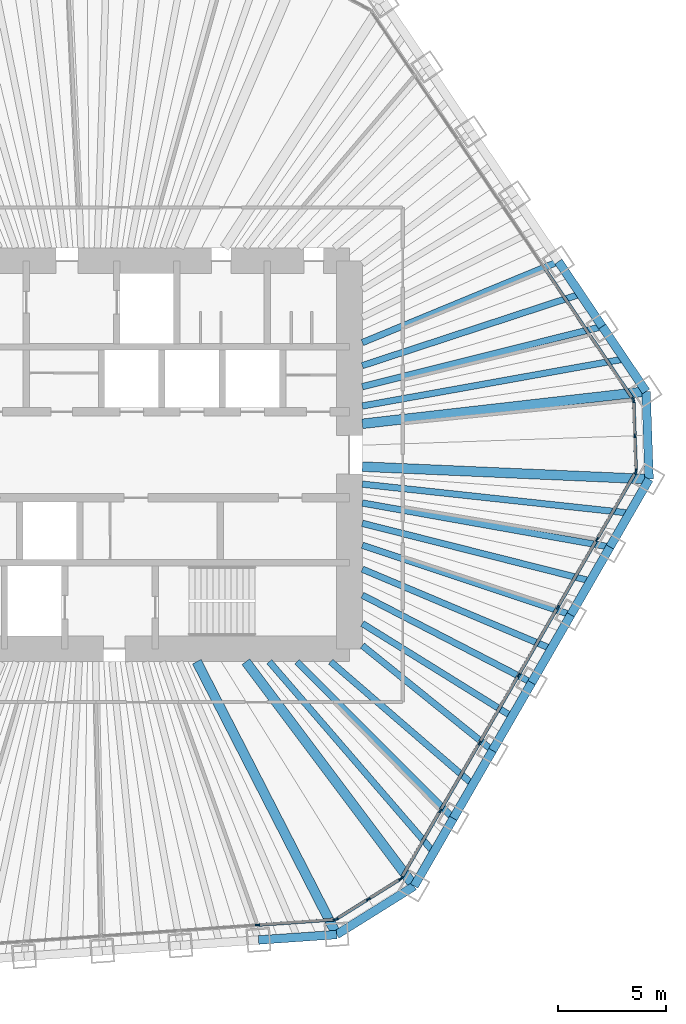
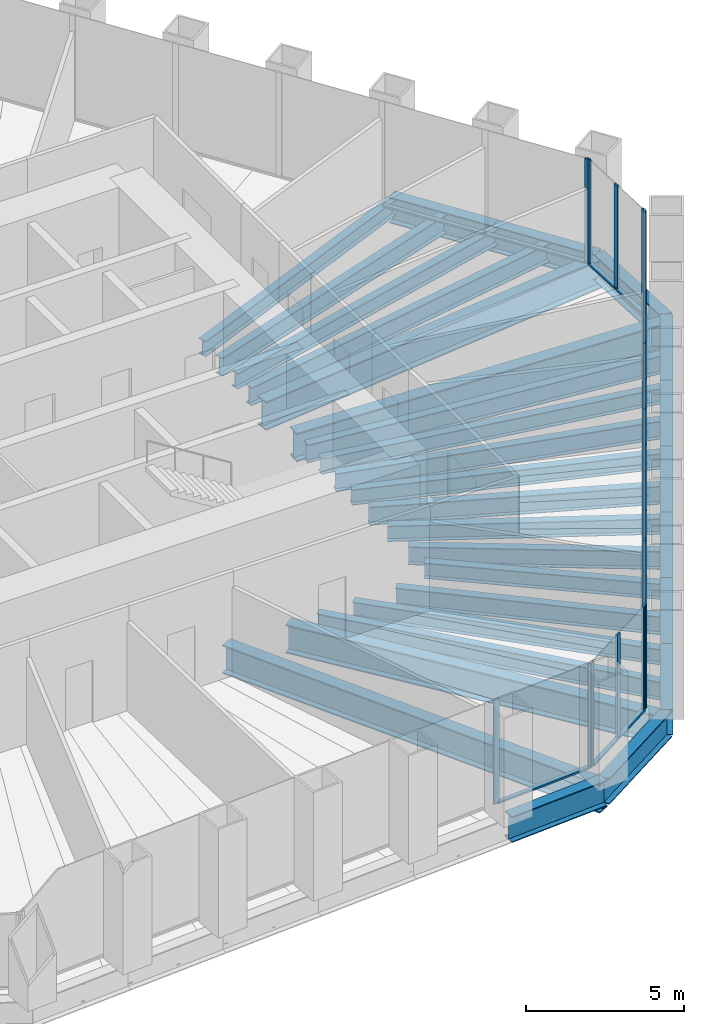
# One storey, part 4 of 13: 30 beams, 29 members, 5 elements without a shape of their own.
"""IFC4 building model written with IfcOpenShell, lengths in metres."""

from ifc_helpers import new_model, si_unit, direction, frame, origin, origin_2d, place, context, subcontext, project, spatial, rectangle, i_section, extrude, material, material_profile, profile_set, type_object, element, aggregate, save


model = new_model("IFC4")

# Units and contexts
model_context = context("Model", 3, precision=1e-05, world=origin(), true_north=direction((0.0, 1.0)))
body_context = subcontext(model_context, "Body", "Model", "MODEL_VIEW")
ifc_project = project(units=[si_unit("LENGTHUNIT", "METRE"), si_unit("AREAUNIT", "SQUARE_METRE"), si_unit("VOLUMEUNIT", "CUBIC_METRE"), si_unit("PLANEANGLEUNIT", "RADIAN"), si_unit("MASSUNIT", "GRAM", prefix="KILO")], contexts=[model_context])

# Site, building, storey
site_placement = place(None, origin())
site = spatial("IfcSite", under=ifc_project, at=site_placement, CompositionType="ELEMENT")
building_placement = place(site_placement, origin())
building = spatial("IfcBuilding", under=site, at=building_placement, Name="Qingtian Harvest Tower", CompositionType="ELEMENT")
storey_placement = place(building_placement, frame((0.0, 0.0, 209.800048828125)))
storey = spatial("IfcBuildingStorey", under=building, at=storey_placement, Name="L45", CompositionType="ELEMENT", Elevation=209.800048828125)

# Beams
ifc_material_1 = material(Name="Steel SM570MC", Category="steel")
ifc_material_profile_1 = material_profile(ifc_material_1, i_section(OverallWidth=0.449951171875, OverallDepth=1.10009765625, WebThickness=0.02197265625, FlangeThickness=0.044921875, at=origin_2d()), Name="H1100x450x22x45")
ifc_profile_set_1 = profile_set([ifc_material_profile_1], Name="Steel SM570MC")
beam_type_1 = type_object("IfcBeamType", Name="Corner floor beam FB8 H1100x450x22x45", PredefinedType="BEAM", material=ifc_profile_set_1)
beam_1_placement = place(storey_placement, frame((25.762451171875, 2.936279296875, -0.719970703125), z_axis=(-0.993566901619, -0.113246686522, 0.0), x_axis=(0.113246686522, -0.993566901619, 0.0)))
element("IfcBeam", 1, at=beam_1_placement, inside=storey, type_object=beam_type_1, Name="Floor beam FB8 NE6", PredefinedType="BEAM", context=body_context, shape_type="SweptSolid", body=[
    extrude(i_section(OverallWidth=0.449951171875, OverallDepth=1.10009765625, WebThickness=0.02197265625, FlangeThickness=0.044921875, at=origin_2d()), origin(), (0.0, 0.0, 1.0), 13.24755859375),
])
beam_2_placement = place(storey_placement, frame((25.904541015625, -1.1318359375, -0.719970703125), z_axis=(-0.999046865424, 0.043650437408, 0.0), x_axis=(-0.043650437408, -0.999046865424, 0.0)))
element("IfcBeam", 2, at=beam_2_placement, inside=storey, type_object=beam_type_1, Name="Floor beam FB8 SE0", PredefinedType="BEAM", context=body_context, shape_type="SweptSolid", body=[
    extrude(i_section(OverallWidth=0.449951171875, OverallDepth=1.10009765625, WebThickness=0.02197265625, FlangeThickness=0.044921875, at=origin_2d()), origin(), (0.0, 0.0, 1.0), 13.317138671875),
])
beam_3_placement = place(storey_placement, frame((15.00390625, -20.012451171875, -0.719970703125), z_axis=(-0.599858913609, 0.800105795357, 0.0), x_axis=(-0.800105795357, -0.599858913609, 0.0)))
element("IfcBeam", 3, at=beam_3_placement, inside=storey, type_object=beam_type_1, Name="Floor beam FB8 SE6", PredefinedType="BEAM", context=body_context, shape_type="SweptSolid", body=[
    extrude(i_section(OverallWidth=0.449951171875, OverallDepth=1.10009765625, WebThickness=0.02197265625, FlangeThickness=0.044921875, at=origin_2d()), origin(), (0.0, 0.0, 1.0), 13.013671875),
])
beam_4_placement = place(storey_placement, frame((11.40966796875, -22.25830078125, -0.719970703125), z_axis=(-0.456157396608, 0.889899111989, 0.0), x_axis=(-0.889899111989, -0.456157396608, 0.0)))
element("IfcBeam", 4, at=beam_4_placement, inside=storey, type_object=beam_type_1, Name="Floor beam FB8 S0", PredefinedType="BEAM", context=body_context, shape_type="SweptSolid", body=[
    extrude(i_section(OverallWidth=0.449951171875, OverallDepth=1.10009765625, WebThickness=0.02197265625, FlangeThickness=0.044921875, at=origin_2d()), origin(), (0.0, 0.0, 1.0), 14.224365234375),
])
ifc_material_2 = material(Name="Steel SN490B", Category="steel")
ifc_material_profile_2 = material_profile(ifc_material_2, i_section(OverallWidth=0.300048828125, OverallDepth=0.60009765625, WebThickness=0.011962890625, FlangeThickness=0.02001953125, at=origin_2d()), Name="H600x300x12x20")
ifc_profile_set_2 = profile_set([ifc_material_profile_2], Name="Steel SN490B")
beam_type_2 = type_object("IfcBeamType", Name="Floor beam FB3 H600x300x12x20", PredefinedType="BEAM", material=ifc_profile_set_2)
beam_5_placement = place(storey_placement, frame((21.69873046875, 8.9609375, -0.469970703125), z_axis=(-0.924281590361, -0.381711332973, 0.0), x_axis=(0.381711332973, -0.924281590361, 0.0)))
element("IfcBeam", 5, at=beam_5_placement, inside=storey, type_object=beam_type_2, Name="Floor beam FB3 NE4", PredefinedType="BEAM", context=body_context, shape_type="SweptSolid", body=[
    extrude(i_section(OverallWidth=0.300048828125, OverallDepth=0.60009765625, WebThickness=0.011962890625, FlangeThickness=0.02001953125, at=origin_2d()), origin(), (0.0, 0.0, 1.0), 9.843994140625),
])
beam_6_placement = place(storey_placement, frame((23.730712890625, 5.948486328125, -0.469970703125), z_axis=(-0.969990876487, -0.243141315972, 0.0), x_axis=(0.243141315972, -0.969990876487, 0.0)))
element("IfcBeam", 6, at=beam_6_placement, inside=storey, type_object=beam_type_2, Name="Floor beam FB3 NE5", PredefinedType="BEAM", context=body_context, shape_type="SweptSolid", body=[
    extrude(i_section(OverallWidth=0.300048828125, OverallDepth=0.60009765625, WebThickness=0.011962890625, FlangeThickness=0.02001953125, at=origin_2d()), origin(), (0.0, 0.0, 1.0), 11.474853515625),
])
beam_7_placement = place(storey_placement, frame((24.087890625, -4.27880859375, -0.469970703125), z_axis=(-0.98458469654, 0.174908477034, 0.0), x_axis=(-0.174908477034, -0.98458469654, 0.0)))
element("IfcBeam", 7, at=beam_7_placement, inside=storey, type_object=beam_type_2, Name="Floor beam FB3 SE1", PredefinedType="BEAM", context=body_context, shape_type="SweptSolid", body=[
    extrude(i_section(OverallWidth=0.300048828125, OverallDepth=0.60009765625, WebThickness=0.011962890625, FlangeThickness=0.02001953125, at=origin_2d()), origin(), (0.0, 0.0, 1.0), 11.667724609375),
])
beam_8_placement = place(storey_placement, frame((22.27099609375, -7.425537109375, -0.469970703125), z_axis=(-0.948654555734, 0.316313979908, 0.0), x_axis=(-0.316313979908, -0.948654555734, 0.0)))
element("IfcBeam", 8, at=beam_8_placement, inside=storey, type_object=beam_type_2, Name="Floor beam FB3 SE2", PredefinedType="BEAM", context=body_context, shape_type="SweptSolid", body=[
    extrude(i_section(OverallWidth=0.300048828125, OverallDepth=0.60009765625, WebThickness=0.011962890625, FlangeThickness=0.02001953125, at=origin_2d()), origin(), (0.0, 0.0, 1.0), 10.1943359375),
])
beam_9_placement = place(storey_placement, frame((20.454345703125, -10.572265625, -0.469970703125), z_axis=(-0.888343501027, 0.459179511938, 0.0), x_axis=(-0.459179511938, -0.888343501027, 0.0)))
element("IfcBeam", 9, at=beam_9_placement, inside=storey, type_object=beam_type_2, Name="Floor beam FB3 SE3", PredefinedType="BEAM", context=body_context, shape_type="SweptSolid", body=[
    extrude(i_section(OverallWidth=0.300048828125, OverallDepth=0.60009765625, WebThickness=0.011962890625, FlangeThickness=0.02001953125, at=origin_2d()), origin(), (0.0, 0.0, 1.0), 8.841552734375),
])
beam_10_placement = place(storey_placement, frame((18.637451171875, -13.718994140625, -0.469970703125), z_axis=(-0.77840907003, 0.62775737327, 0.0), x_axis=(-0.62775737327, -0.77840907003, 0.0)))
element("IfcBeam", 10, at=beam_10_placement, inside=storey, type_object=beam_type_2, Name="Floor beam FB3 SE4", PredefinedType="BEAM", context=body_context, shape_type="SweptSolid", body=[
    extrude(i_section(OverallWidth=0.300048828125, OverallDepth=0.60009765625, WebThickness=0.011962890625, FlangeThickness=0.02001953125, at=origin_2d()), origin(), (0.0, 0.0, 1.0), 7.756103515625),
])
beam_11_placement = place(storey_placement, frame((16.82080078125, -16.86572265625, -0.469970703125), z_axis=(-0.70616637797, 0.708045935392, 0.0), x_axis=(-0.708045935392, -0.70616637797, 0.0)))
element("IfcBeam", 11, at=beam_11_placement, inside=storey, type_object=beam_type_2, Name="Floor beam FB3 SE5", PredefinedType="BEAM", context=body_context, shape_type="SweptSolid", body=[
    extrude(i_section(OverallWidth=0.300048828125, OverallDepth=0.60009765625, WebThickness=0.011962890625, FlangeThickness=0.02001953125, at=origin_2d()), origin(), (0.0, 0.0, 1.0), 10.261474609375),
])
ifc_material_3 = material(Name="Steel SN490B", Category="steel")
ifc_material_profile_3 = material_profile(ifc_material_3, i_section(OverallWidth=0.300048828125, OverallDepth=0.699951171875, WebThickness=0.012939453125, FlangeThickness=0.02392578125, at=origin_2d()), Name="H700x300x13x24")
ifc_profile_set_3 = profile_set([ifc_material_profile_3], Name="Steel SN490B")
beam_type_3 = type_object("IfcBeamType", Name="Floor joist J2 H700x300x13x24", PredefinedType="JOIST", material=ifc_profile_set_3)
beam_12_placement = place(storey_placement, frame((22.71484375, 7.454833984375, -0.52001953125), z_axis=(-0.950138567513, -0.311828001508, 0.0), x_axis=(0.311828001508, -0.950138567513, 0.0)))
element("IfcBeam", 12, at=beam_12_placement, inside=storey, type_object=beam_type_3, Name="Floor joist J2 NE4", PredefinedType="JOIST", context=body_context, shape_type="SweptSolid", body=[
    extrude(i_section(OverallWidth=0.300048828125, OverallDepth=0.699951171875, WebThickness=0.012939453125, FlangeThickness=0.02392578125, at=origin_2d()), origin(), (0.0, 0.0, 1.0), 10.6455078125),
])
beam_13_placement = place(storey_placement, frame((24.74658203125, 4.4423828125, -0.52001953125), z_axis=(-0.98426723745, -0.176686177393, 0.0), x_axis=(0.176686177393, -0.98426723745, 0.0)))
element("IfcBeam", 13, at=beam_13_placement, inside=storey, type_object=beam_type_3, Name="Floor joist J2 NE5", PredefinedType="JOIST", context=body_context, shape_type="SweptSolid", body=[
    extrude(i_section(OverallWidth=0.300048828125, OverallDepth=0.699951171875, WebThickness=0.012939453125, FlangeThickness=0.02392578125, at=origin_2d()), origin(), (0.0, 0.0, 1.0), 12.340576171875),
])
beam_14_placement = place(storey_placement, frame((24.99609375, -2.705322265625, -0.52001953125), z_axis=(-0.994194656298, 0.107596400448, 0.0), x_axis=(-0.107596400448, -0.994194656298, 0.0)))
element("IfcBeam", 14, at=beam_14_placement, inside=storey, type_object=beam_type_3, Name="Floor joist J2 SE0", PredefinedType="JOIST", context=body_context, shape_type="SweptSolid", body=[
    extrude(i_section(OverallWidth=0.300048828125, OverallDepth=0.699951171875, WebThickness=0.012939453125, FlangeThickness=0.02392578125, at=origin_2d()), origin(), (0.0, 0.0, 1.0), 12.46826171875),
])
beam_15_placement = place(storey_placement, frame((23.179443359375, -5.85205078125, -0.52001953125), z_axis=(-0.969577887027, 0.244783007963, 0.0), x_axis=(-0.244783007963, -0.969577887027, 0.0)))
element("IfcBeam", 15, at=beam_15_placement, inside=storey, type_object=beam_type_3, Name="Floor joist J2 SE1", PredefinedType="JOIST", context=body_context, shape_type="SweptSolid", body=[
    extrude(i_section(OverallWidth=0.300048828125, OverallDepth=0.699951171875, WebThickness=0.012939453125, FlangeThickness=0.02392578125, at=origin_2d()), origin(), (0.0, 0.0, 1.0), 10.911376953125),
])
beam_16_placement = place(storey_placement, frame((21.362548828125, -8.998779296875, -0.52001953125), z_axis=(-0.921571079516, 0.388209666803, 0.0), x_axis=(-0.388209666803, -0.921571079516, 0.0)))
element("IfcBeam", 16, at=beam_16_placement, inside=storey, type_object=beam_type_3, Name="Floor joist J2 SE2", PredefinedType="JOIST", context=body_context, shape_type="SweptSolid", body=[
    extrude(i_section(OverallWidth=0.300048828125, OverallDepth=0.699951171875, WebThickness=0.012939453125, FlangeThickness=0.02392578125, at=origin_2d()), origin(), (0.0, 0.0, 1.0), 9.508056640625),
])
beam_17_placement = place(storey_placement, frame((19.5458984375, -12.1455078125, -0.52001953125), z_axis=(-0.849380822906, 0.527780463526, 0.0), x_axis=(-0.527780463526, -0.849380822906, 0.0)))
element("IfcBeam", 17, at=beam_17_placement, inside=storey, type_object=beam_type_3, Name="Floor joist J2 SE3", PredefinedType="JOIST", context=body_context, shape_type="SweptSolid", body=[
    extrude(i_section(OverallWidth=0.300048828125, OverallDepth=0.699951171875, WebThickness=0.012939453125, FlangeThickness=0.02392578125, at=origin_2d()), origin(), (0.0, 0.0, 1.0), 8.177490234375),
])
beam_18_placement = place(storey_placement, frame((17.72900390625, -15.292236328125, -0.52001953125), z_axis=(-0.757237954988, 0.653139096613, 0.0), x_axis=(-0.653139096613, -0.757237954988, 0.0)))
element("IfcBeam", 18, at=beam_18_placement, inside=storey, type_object=beam_type_3, Name="Floor joist J2 SE4", PredefinedType="JOIST", context=body_context, shape_type="SweptSolid", body=[
    extrude(i_section(OverallWidth=0.300048828125, OverallDepth=0.699951171875, WebThickness=0.012939453125, FlangeThickness=0.02392578125, at=origin_2d()), origin(), (0.0, 0.0, 1.0), 8.715087890625),
])
beam_19_placement = place(storey_placement, frame((15.912353515625, -18.43896484375, -0.52001953125), z_axis=(-0.653343257086, 0.757061812813, 0.0), x_axis=(-0.757061812813, -0.653343257086, 0.0)))
element("IfcBeam", 19, at=beam_19_placement, inside=storey, type_object=beam_type_3, Name="Floor joist J2 SE5", PredefinedType="JOIST", context=body_context, shape_type="SweptSolid", body=[
    extrude(i_section(OverallWidth=0.300048828125, OverallDepth=0.699951171875, WebThickness=0.012939453125, FlangeThickness=0.02392578125, at=origin_2d()), origin(), (0.0, 0.0, 1.0), 11.67529296875),
])

# Curtain wall, member
ifc_material_4 = material(Name="Bronze-anodised aluminium curtain wall", Category="aluminium")
curtain_wall_type = type_object("IfcCurtainWallType", Name="Curtain wall CW4 office", PredefinedType="USERDEFINED", material=ifc_material_4)
curtain_wall_1_placement = place(storey_placement, origin())
curtain_wall_1 = element("IfcCurtainWall", 20, at=curtain_wall_1_placement, inside=storey, type_object=curtain_wall_type, Name="Curtain wall CW4 L45 NE0-5", ObjectType="RECESSED CURTAIN WALL", PredefinedType="USERDEFINED")
ifc_material_5 = material(Name="Bronze-anodised aluminium mullion", Category="aluminium")
ifc_material_profile_4 = material_profile(ifc_material_5, rectangle(XDim=0.06494140625, YDim=0.199951171875, at=origin_2d()), Name="AL 65x200")
ifc_profile_set_4 = profile_set([ifc_material_profile_4], Name="Bronze-anodised aluminium mullion")
member_type_1 = type_object("IfcMemberType", Name="Mullion CWM 65x200", PredefinedType="MULLION", material=ifc_profile_set_4)
member_1_placement = place(storey_placement, frame((25.1640625, 2.57177734375, 0.0), z_axis=(0.0, 0.0, 1.0), x_axis=(0.829037572555, 0.559192903471, 0.0)))
member_1 = element("IfcMember", 21, at=member_1_placement, type_object=member_type_1, Name="CW4 mullion 7", PredefinedType="MULLION", context=body_context, shape_type="SweptSolid", body=[
    extrude(rectangle(XDim=0.06494140625, YDim=0.199951171875, at=origin_2d()), origin(), (0.0, 0.0, 1.0), 4.030029296875),
])

# Curtain wall, members
curtain_wall_2_placement = place(storey_placement, origin())
curtain_wall_2 = element("IfcCurtainWall", 22, at=curtain_wall_2_placement, inside=storey, type_object=curtain_wall_type, Name="Curtain wall CW4 L45 NEC", ObjectType="RECESSED CURTAIN WALL", PredefinedType="USERDEFINED")
member_2_placement = place(storey_placement, frame((25.183349609375, 2.51220703125, 0.0), z_axis=(0.0, 0.0, 1.0), x_axis=(0.999390827019, 0.034899496703, 0.0)))
member_2 = element("IfcMember", 23, at=member_2_placement, type_object=member_type_1, Name="CW4 mullion 1", PredefinedType="MULLION", context=body_context, shape_type="SweptSolid", body=[
    extrude(rectangle(XDim=0.06494140625, YDim=0.199951171875, at=origin_2d()), origin(), (0.0, 0.0, 1.0), 4.030029296875),
])
member_3_placement = place(storey_placement, frame((25.240234375, 0.88134765625, 0.0), z_axis=(0.0, 0.0, 1.0), x_axis=(0.999390827019, 0.034899496703, 0.0)))
member_3 = element("IfcMember", 24, at=member_3_placement, type_object=member_type_1, Name="CW4 mullion 2", PredefinedType="MULLION", context=body_context, shape_type="SweptSolid", body=[
    extrude(rectangle(XDim=0.06494140625, YDim=0.199951171875, at=origin_2d()), origin(), (0.0, 0.0, 1.0), 4.030029296875),
])
member_4_placement = place(storey_placement, frame((25.297119140625, -0.74951171875, 0.0), z_axis=(0.0, 0.0, 1.0), x_axis=(0.999390827019, 0.034899496703, 0.0)))
member_4 = element("IfcMember", 25, at=member_4_placement, type_object=member_type_1, Name="CW4 mullion 3", PredefinedType="MULLION", context=body_context, shape_type="SweptSolid", body=[
    extrude(rectangle(XDim=0.06494140625, YDim=0.199951171875, at=origin_2d()), origin(), (0.0, 0.0, 1.0), 4.030029296875),
])

curtain_wall_3_placement = place(storey_placement, origin())
curtain_wall_3 = element("IfcCurtainWall", 26, at=curtain_wall_3_placement, inside=storey, type_object=curtain_wall_type, Name="Curtain wall CW4 L45 SE0-5", ObjectType="RECESSED CURTAIN WALL", PredefinedType="USERDEFINED")
member_5_placement = place(storey_placement, frame((25.2822265625, -0.81005859375, 0.0), z_axis=(0.0, 0.0, 1.0), x_axis=(0.866025403784, -0.5, 0.0)))
member_5 = element("IfcMember", 27, at=member_5_placement, type_object=member_type_1, Name="CW4 mullion 1", PredefinedType="MULLION", context=body_context, shape_type="SweptSolid", body=[
    extrude(rectangle(XDim=0.06494140625, YDim=0.199951171875, at=origin_2d()), origin(), (0.0, 0.0, 1.0), 4.030029296875),
])
member_6_placement = place(storey_placement, frame((23.481689453125, -3.9287109375, 0.0), z_axis=(0.0, 0.0, 1.0), x_axis=(0.866025403784, -0.5, 0.0)))
member_6 = element("IfcMember", 28, at=member_6_placement, type_object=member_type_1, Name="CW4 mullion 2", PredefinedType="MULLION", context=body_context, shape_type="SweptSolid", body=[
    extrude(rectangle(XDim=0.06494140625, YDim=0.199951171875, at=origin_2d()), origin(), (0.0, 0.0, 1.0), 4.030029296875),
])
member_7_placement = place(storey_placement, frame((21.664794921875, -7.075439453125, 0.0), z_axis=(0.0, 0.0, 1.0), x_axis=(0.866025403784, -0.5, 0.0)))
member_7 = element("IfcMember", 29, at=member_7_placement, type_object=member_type_1, Name="CW4 mullion 3", PredefinedType="MULLION", context=body_context, shape_type="SweptSolid", body=[
    extrude(rectangle(XDim=0.06494140625, YDim=0.199951171875, at=origin_2d()), origin(), (0.0, 0.0, 1.0), 4.030029296875),
])
member_8_placement = place(storey_placement, frame((19.84814453125, -10.22216796875, 0.0), z_axis=(0.0, 0.0, 1.0), x_axis=(0.866025403784, -0.5, 0.0)))
member_8 = element("IfcMember", 30, at=member_8_placement, type_object=member_type_1, Name="CW4 mullion 4", PredefinedType="MULLION", context=body_context, shape_type="SweptSolid", body=[
    extrude(rectangle(XDim=0.06494140625, YDim=0.199951171875, at=origin_2d()), origin(), (0.0, 0.0, 1.0), 4.030029296875),
])
member_9_placement = place(storey_placement, frame((18.03125, -13.368896484375, 0.0), z_axis=(0.0, 0.0, 1.0), x_axis=(0.866025403784, -0.5, 0.0)))
member_9 = element("IfcMember", 31, at=member_9_placement, type_object=member_type_1, Name="CW4 mullion 5", PredefinedType="MULLION", context=body_context, shape_type="SweptSolid", body=[
    extrude(rectangle(XDim=0.06494140625, YDim=0.199951171875, at=origin_2d()), origin(), (0.0, 0.0, 1.0), 4.030029296875),
])
member_10_placement = place(storey_placement, frame((16.214599609375, -16.515625, 0.0), z_axis=(0.0, 0.0, 1.0), x_axis=(0.866025403784, -0.5, 0.0)))
member_10 = element("IfcMember", 32, at=member_10_placement, type_object=member_type_1, Name="CW4 mullion 6", PredefinedType="MULLION", context=body_context, shape_type="SweptSolid", body=[
    extrude(rectangle(XDim=0.06494140625, YDim=0.199951171875, at=origin_2d()), origin(), (0.0, 0.0, 1.0), 4.030029296875),
])
member_11_placement = place(storey_placement, frame((14.4140625, -19.63427734375, 0.0), z_axis=(0.0, 0.0, 1.0), x_axis=(0.866025403784, -0.5, 0.0)))
member_11 = element("IfcMember", 33, at=member_11_placement, type_object=member_type_1, Name="CW4 mullion 7", PredefinedType="MULLION", context=body_context, shape_type="SweptSolid", body=[
    extrude(rectangle(XDim=0.06494140625, YDim=0.199951171875, at=origin_2d()), origin(), (0.0, 0.0, 1.0), 4.030029296875),
])

curtain_wall_4_placement = place(storey_placement, origin())
curtain_wall_4 = element("IfcCurtainWall", 34, at=curtain_wall_4_placement, inside=storey, type_object=curtain_wall_type, Name="Curtain wall CW4 L45 SEC", ObjectType="RECESSED CURTAIN WALL", PredefinedType="USERDEFINED")
member_12_placement = place(storey_placement, frame((14.3701171875, -19.6796875, 0.0), z_axis=(0.0, 0.0, 1.0), x_axis=(0.529919264233, -0.848048096156, 0.0)))
member_12 = element("IfcMember", 35, at=member_12_placement, type_object=member_type_1, Name="CW4 mullion 1", PredefinedType="MULLION", context=body_context, shape_type="SweptSolid", body=[
    extrude(rectangle(XDim=0.06494140625, YDim=0.199951171875, at=origin_2d()), origin(), (0.0, 0.0, 1.0), 4.030029296875),
])
member_13_placement = place(storey_placement, frame((12.87939453125, -20.611328125, 0.0), z_axis=(0.0, 0.0, 1.0), x_axis=(0.529919264233, -0.848048096156, 0.0)))
member_13 = element("IfcMember", 36, at=member_13_placement, type_object=member_type_1, Name="CW4 mullion 2", PredefinedType="MULLION", context=body_context, shape_type="SweptSolid", body=[
    extrude(rectangle(XDim=0.06494140625, YDim=0.199951171875, at=origin_2d()), origin(), (0.0, 0.0, 1.0), 4.030029296875),
])
member_14_placement = place(storey_placement, frame((11.388427734375, -21.542724609375, 0.0), z_axis=(0.0, 0.0, 1.0), x_axis=(0.529919264233, -0.848048096156, 0.0)))
member_14 = element("IfcMember", 37, at=member_14_placement, type_object=member_type_1, Name="CW4 mullion 3", PredefinedType="MULLION", context=body_context, shape_type="SweptSolid", body=[
    extrude(rectangle(XDim=0.06494140625, YDim=0.199951171875, at=origin_2d()), origin(), (0.0, 0.0, 1.0), 4.030029296875),
])

curtain_wall_5_placement = place(storey_placement, origin())
curtain_wall_5 = element("IfcCurtainWall", 38, at=curtain_wall_5_placement, inside=storey, type_object=curtain_wall_type, Name="Curtain wall CW4 L45 S0-5", ObjectType="RECESSED CURTAIN WALL", PredefinedType="USERDEFINED")
member_15_placement = place(storey_placement, frame((11.32861328125, -21.562255859375, 0.0), z_axis=(0.0, 0.0, 1.0), x_axis=(0.069756473744, -0.99756405026, 0.0)))
member_15 = element("IfcMember", 39, at=member_15_placement, type_object=member_type_1, Name="CW4 mullion 1", PredefinedType="MULLION", context=body_context, shape_type="SweptSolid", body=[
    extrude(rectangle(XDim=0.06494140625, YDim=0.199951171875, at=origin_2d()), origin(), (0.0, 0.0, 1.0), 4.030029296875),
])
member_16_placement = place(storey_placement, frame((7.736328125, -21.8134765625, 0.0), z_axis=(0.0, 0.0, 1.0), x_axis=(0.069756473744, -0.99756405026, 0.0)))
member_16 = element("IfcMember", 40, at=member_16_placement, type_object=member_type_1, Name="CW4 mullion 2", PredefinedType="MULLION", context=body_context, shape_type="SweptSolid", body=[
    extrude(rectangle(XDim=0.06494140625, YDim=0.199951171875, at=origin_2d()), origin(), (0.0, 0.0, 1.0), 4.030029296875),
])

# Beams
ifc_material_6 = material(Name="Steel SN490B", Category="steel")
ifc_material_profile_5 = material_profile(ifc_material_6, i_section(OverallWidth=0.39990234375, OverallDepth=1.0, WebThickness=0.01904296875, FlangeThickness=0.035888671875, at=origin_2d()), Name="H1000x400x19x36")
ifc_profile_set_5 = profile_set([ifc_material_profile_5], Name="Steel SN490B")
beam_type_4 = type_object("IfcBeamType", Name="Spandrel beam SB3 H1000x400x19x36", PredefinedType="SPANDREL", material=ifc_profile_set_5)
beam_20_placement = place(storey_placement, frame((21.69873046875, 8.9609375, -0.5), z_axis=(0.55920395902, -0.829030115385, 0.0), x_axis=(0.829030115385, 0.55920395902, 0.0)))
element("IfcBeam", 41, at=beam_20_placement, inside=storey, type_object=beam_type_4, Name="Spandrel SB3 NE4", PredefinedType="SPANDREL", context=body_context, shape_type="SweptSolid", body=[
    extrude(i_section(OverallWidth=0.39990234375, OverallDepth=1.0, WebThickness=0.01904296875, FlangeThickness=0.035888671875, at=origin_2d()), origin(), (0.0, 0.0, 1.0), 3.6337890625),
])
beam_21_placement = place(storey_placement, frame((23.730712890625, 5.948486328125, -0.5), z_axis=(0.559188928021, -0.829040254016, 0.0), x_axis=(0.829040254016, 0.559188928021, 0.0)))
element("IfcBeam", 42, at=beam_21_placement, inside=storey, type_object=beam_type_4, Name="Spandrel SB3 NE5", PredefinedType="SPANDREL", context=body_context, shape_type="SweptSolid", body=[
    extrude(i_section(OverallWidth=0.39990234375, OverallDepth=1.0, WebThickness=0.01904296875, FlangeThickness=0.035888671875, at=origin_2d()), origin(), (0.0, 0.0, 1.0), 3.63330078125),
])
beam_22_placement = place(storey_placement, frame((25.762451171875, 2.936279296875, -0.5), z_axis=(0.03490639867, -0.999390585973, 0.0), x_axis=(0.999390585973, 0.03490639867, 0.0)))
element("IfcBeam", 43, at=beam_22_placement, inside=storey, type_object=beam_type_4, Name="Spandrel SB3 NEC", PredefinedType="SPANDREL", context=body_context, shape_type="SweptSolid", body=[
    extrude(i_section(OverallWidth=0.39990234375, OverallDepth=1.0, WebThickness=0.01904296875, FlangeThickness=0.035888671875, at=origin_2d()), origin(), (0.0, 0.0, 1.0), 4.070556640625),
])
beam_23_placement = place(storey_placement, frame((25.904541015625, -1.1318359375, -0.5), z_axis=(-0.499947341849, -0.866055803848, 0.0), x_axis=(0.866055803848, -0.499947341849, 0.0)))
element("IfcBeam", 44, at=beam_23_placement, inside=storey, type_object=beam_type_4, Name="Spandrel SB3 SE0", PredefinedType="SPANDREL", context=body_context, shape_type="SweptSolid", body=[
    extrude(i_section(OverallWidth=0.39990234375, OverallDepth=1.0, WebThickness=0.01904296875, FlangeThickness=0.035888671875, at=origin_2d()), origin(), (0.0, 0.0, 1.0), 3.6337890625),
])
for number, where, z_axis, x_axis, name in (
    (45, (24.087890625, -4.27880859375, -0.5), (-0.500026827678, -0.866009914263, 0.0), (0.866009914263, -0.500026827678, 0.0), "Spandrel SB3 SE1"),
    (46, (22.27099609375, -7.425537109375, -0.5), (-0.499976434558, -0.866039008871, 0.0), (0.866039008871, -0.499976434558, 0.0), "Spandrel SB3 SE2"),
    (47, (20.454345703125, -10.572265625, -0.5), (-0.500026827678, -0.866009914263, 0.0), (0.866009914263, -0.500026827678, 0.0), "Spandrel SB3 SE3"),
    (48, (18.637451171875, -13.718994140625, -0.5), (-0.499976434558, -0.866039008871, 0.0), (0.866039008871, -0.499976434558, 0.0), "Spandrel SB3 SE4"),
    (49, (16.82080078125, -16.86572265625, -0.5), (-0.500026827678, -0.866009914263, 0.0), (0.866009914263, -0.500026827678, 0.0), "Spandrel SB3 SE5"),
):
    element("IfcBeam", number, at=place(storey_placement, frame(where, z_axis=z_axis, x_axis=x_axis)), inside=storey, type_object=beam_type_4, Name=name, PredefinedType="SPANDREL", context=body_context, shape_type="SweptSolid", body=[
        extrude(i_section(OverallWidth=0.39990234375, OverallDepth=1.0, WebThickness=0.01904296875, FlangeThickness=0.035888671875, at=origin_2d()), origin(), (0.0, 0.0, 1.0), 3.633544921875),
    ])
beam_24_placement = place(storey_placement, frame((15.00390625, -20.012451171875, -0.5), z_axis=(-0.848056550838, -0.529905733675, 0.0), x_axis=(0.529905733675, -0.848056550838, 0.0)))
element("IfcBeam", 50, at=beam_24_placement, inside=storey, type_object=beam_type_4, Name="Spandrel SB3 SEC", PredefinedType="SPANDREL", context=body_context, shape_type="SweptSolid", body=[
    extrude(i_section(OverallWidth=0.39990234375, OverallDepth=1.0, WebThickness=0.01904296875, FlangeThickness=0.035888671875, at=origin_2d()), origin(), (0.0, 0.0, 1.0), 4.23828125),
])
beam_25_placement = place(storey_placement, frame((11.40966796875, -22.25830078125, -0.5), z_axis=(-0.997564674207, -0.069747550305, 0.0), x_axis=(0.069747550305, -0.997564674207, 0.0)))
element("IfcBeam", 51, at=beam_25_placement, inside=storey, type_object=beam_type_4, Name="Spandrel SB3 S0", PredefinedType="SPANDREL", context=body_context, shape_type="SweptSolid", body=[
    extrude(i_section(OverallWidth=0.39990234375, OverallDepth=1.0, WebThickness=0.01904296875, FlangeThickness=0.035888671875, at=origin_2d()), origin(), (0.0, 0.0, 1.0), 3.63330078125),
])

# Member
ifc_material_7 = material(Name="Bronze-anodised aluminium transom", Category="aluminium")
ifc_material_profile_6 = material_profile(ifc_material_7, rectangle(XDim=0.14990234375, YDim=0.06494140625, at=origin_2d()), Name="AL 65x150")
ifc_profile_set_6 = profile_set([ifc_material_profile_6], Name="Bronze-anodised aluminium transom")
member_type_2 = type_object("IfcMemberType", Name="Transom CWT 65x150", PredefinedType="USERDEFINED", material=ifc_profile_set_6)
member_17_placement = place(storey_placement, frame((21.13671875, 8.54248046875, 0.032470703125), z_axis=(0.559160259871, -0.829059590006, 0.0), x_axis=(0.829059590006, 0.559160259871, 0.0)))
member_17 = element("IfcMember", 52, at=member_17_placement, type_object=member_type_2, Name="CW4 transom 5.1", ObjectType="TRANSOM", PredefinedType="USERDEFINED", context=body_context, shape_type="SweptSolid", body=[
    extrude(rectangle(XDim=0.14990234375, YDim=0.06494140625, at=origin_2d()), origin(), (0.0, 0.0, 1.0), 3.568603515625),
])

member_18_placement = place(storey_placement, frame((23.16845703125, 5.5302734375, 0.032470703125), z_axis=(0.559169259008, -0.829053520456, 0.0), x_axis=(0.829053520456, 0.559169259008, 0.0)))
member_18 = element("IfcMember", 53, at=member_18_placement, type_object=member_type_2, Name="CW4 transom 6.1", ObjectType="TRANSOM", PredefinedType="USERDEFINED", context=body_context, shape_type="SweptSolid", body=[
    extrude(rectangle(XDim=0.14990234375, YDim=0.06494140625, at=origin_2d()), origin(), (0.0, 0.0, 1.0), 3.5361328125),
])

aggregate(curtain_wall_1, [member_1, member_17, member_18])

member_19_placement = place(storey_placement, frame((25.1845703125, 2.479736328125, 0.032470703125), z_axis=(0.034902326647, -0.999390728191, 0.0), x_axis=(0.999390728191, 0.034902326647, 0.0)))
member_19 = element("IfcMember", 54, at=member_19_placement, type_object=member_type_2, Name="CW4 transom 1.1", ObjectType="TRANSOM", PredefinedType="USERDEFINED", context=body_context, shape_type="SweptSolid", body=[
    extrude(rectangle(XDim=0.14990234375, YDim=0.06494140625, at=origin_2d()), origin(), (0.0, 0.0, 1.0), 1.56689453125),
])

member_20_placement = place(storey_placement, frame((25.241455078125, 0.848876953125, 0.032470703125), z_axis=(0.034902326647, -0.999390728191, 0.0), x_axis=(0.999390728191, 0.034902326647, 0.0)))
member_20 = element("IfcMember", 55, at=member_20_placement, type_object=member_type_2, Name="CW4 transom 2.1", ObjectType="TRANSOM", PredefinedType="USERDEFINED", context=body_context, shape_type="SweptSolid", body=[
    extrude(rectangle(XDim=0.14990234375, YDim=0.06494140625, at=origin_2d()), origin(), (0.0, 0.0, 1.0), 1.56689453125),
])

aggregate(curtain_wall_2, [member_2, member_3, member_4, member_19, member_20])

member_21_placement = place(storey_placement, frame((25.265869140625, -0.838134765625, 0.032470703125), z_axis=(-0.499985409597, -0.866033827394, 0.0), x_axis=(0.866033827394, -0.499985409597, 0.0)))
member_21 = element("IfcMember", 56, at=member_21_placement, type_object=member_type_2, Name="CW4 transom 1.1", ObjectType="TRANSOM", PredefinedType="USERDEFINED", context=body_context, shape_type="SweptSolid", body=[
    extrude(rectangle(XDim=0.14990234375, YDim=0.06494140625, at=origin_2d()), origin(), (0.0, 0.0, 1.0), 3.5361328125),
])

member_22_placement = place(storey_placement, frame((23.46533203125, -3.956787109375, 0.032470703125), z_axis=(-0.499965259726, -0.866045460162, 0.0), x_axis=(0.866045460162, -0.499965259726, 0.0)))
member_22 = element("IfcMember", 57, at=member_22_placement, type_object=member_type_2, Name="CW4 transom 2.1", ObjectType="TRANSOM", PredefinedType="USERDEFINED", context=body_context, shape_type="SweptSolid", body=[
    extrude(rectangle(XDim=0.14990234375, YDim=0.06494140625, at=origin_2d()), origin(), (0.0, 0.0, 1.0), 3.568603515625),
])

member_23_placement = place(storey_placement, frame((21.648681640625, -7.103515625, 0.032470703125), z_axis=(-0.500016569533, -0.866015837149, 0.0), x_axis=(0.866015837149, -0.500016569533, 0.0)))
member_23 = element("IfcMember", 58, at=member_23_placement, type_object=member_type_2, Name="CW4 transom 3.1", ObjectType="TRANSOM", PredefinedType="USERDEFINED", context=body_context, shape_type="SweptSolid", body=[
    extrude(rectangle(XDim=0.14990234375, YDim=0.06494140625, at=origin_2d()), origin(), (0.0, 0.0, 1.0), 3.56884765625),
])

member_24_placement = place(storey_placement, frame((19.831787109375, -10.250244140625, 0.032470703125), z_axis=(-0.499965259726, -0.866045460162, 0.0), x_axis=(0.866045460162, -0.499965259726, 0.0)))
member_24 = element("IfcMember", 59, at=member_24_placement, type_object=member_type_2, Name="CW4 transom 4.1", ObjectType="TRANSOM", PredefinedType="USERDEFINED", context=body_context, shape_type="SweptSolid", body=[
    extrude(rectangle(XDim=0.14990234375, YDim=0.06494140625, at=origin_2d()), origin(), (0.0, 0.0, 1.0), 3.568603515625),
])

member_25_placement = place(storey_placement, frame((18.014892578125, -13.39697265625, 0.032470703125), z_axis=(-0.499965259726, -0.866045460162, 0.0), x_axis=(0.866045460162, -0.499965259726, 0.0)))
member_25 = element("IfcMember", 60, at=member_25_placement, type_object=member_type_2, Name="CW4 transom 5.1", ObjectType="TRANSOM", PredefinedType="USERDEFINED", context=body_context, shape_type="SweptSolid", body=[
    extrude(rectangle(XDim=0.14990234375, YDim=0.06494140625, at=origin_2d()), origin(), (0.0, 0.0, 1.0), 3.568603515625),
])

member_26_placement = place(storey_placement, frame((16.1982421875, -16.5439453125, 0.032470703125), z_axis=(-0.500015305566, -0.866016566931, 0.0), x_axis=(0.866016566931, -0.500015305566, 0.0)))
member_26 = element("IfcMember", 61, at=member_26_placement, type_object=member_type_2, Name="CW4 transom 6.1", ObjectType="TRANSOM", PredefinedType="USERDEFINED", context=body_context, shape_type="SweptSolid", body=[
    extrude(rectangle(XDim=0.14990234375, YDim=0.06494140625, at=origin_2d()), origin(), (0.0, 0.0, 1.0), 3.5361328125),
])

aggregate(curtain_wall_3, [member_5, member_6, member_7, member_8, member_9, member_10, member_11, member_21, member_22, member_23, member_24, member_25, member_26])

member_27_placement = place(storey_placement, frame((14.342529296875, -19.69677734375, 0.032470703125), z_axis=(-0.847998304005, -0.529998940003, 0.0), x_axis=(0.529998940003, -0.847998304005, 0.0)))
member_27 = element("IfcMember", 62, at=member_27_placement, type_object=member_type_2, Name="CW4 transom 1.1", ObjectType="TRANSOM", PredefinedType="USERDEFINED", context=body_context, shape_type="SweptSolid", body=[
    extrude(rectangle(XDim=0.14990234375, YDim=0.06494140625, at=origin_2d()), origin(), (0.0, 0.0, 1.0), 1.69287109375),
])

member_28_placement = place(storey_placement, frame((12.851806640625, -20.62841796875, 0.032470703125), z_axis=(-0.84803880708, -0.529934129573, 0.0), x_axis=(0.529934129573, -0.84803880708, 0.0)))
member_28 = element("IfcMember", 63, at=member_28_placement, type_object=member_type_2, Name="CW4 transom 2.1", ObjectType="TRANSOM", PredefinedType="USERDEFINED", context=body_context, shape_type="SweptSolid", body=[
    extrude(rectangle(XDim=0.14990234375, YDim=0.06494140625, at=origin_2d()), origin(), (0.0, 0.0, 1.0), 1.693115234375),
])

aggregate(curtain_wall_4, [member_12, member_13, member_14, member_27, member_28])

member_29_placement = place(storey_placement, frame((11.296142578125, -21.564453125, 0.032470703125), z_axis=(-0.997561034679, -0.069799585166, 0.0), x_axis=(0.069799585166, -0.997561034679, 0.0)))
member_29 = element("IfcMember", 64, at=member_29_placement, type_object=member_type_2, Name="CW4 transom 1.1", ObjectType="TRANSOM", PredefinedType="USERDEFINED", context=body_context, shape_type="SweptSolid", body=[
    extrude(rectangle(XDim=0.14990234375, YDim=0.06494140625, at=origin_2d()), origin(), (0.0, 0.0, 1.0), 3.5361328125),
])

aggregate(curtain_wall_5, [member_15, member_16, member_29])

save(model, "model.ifc")
